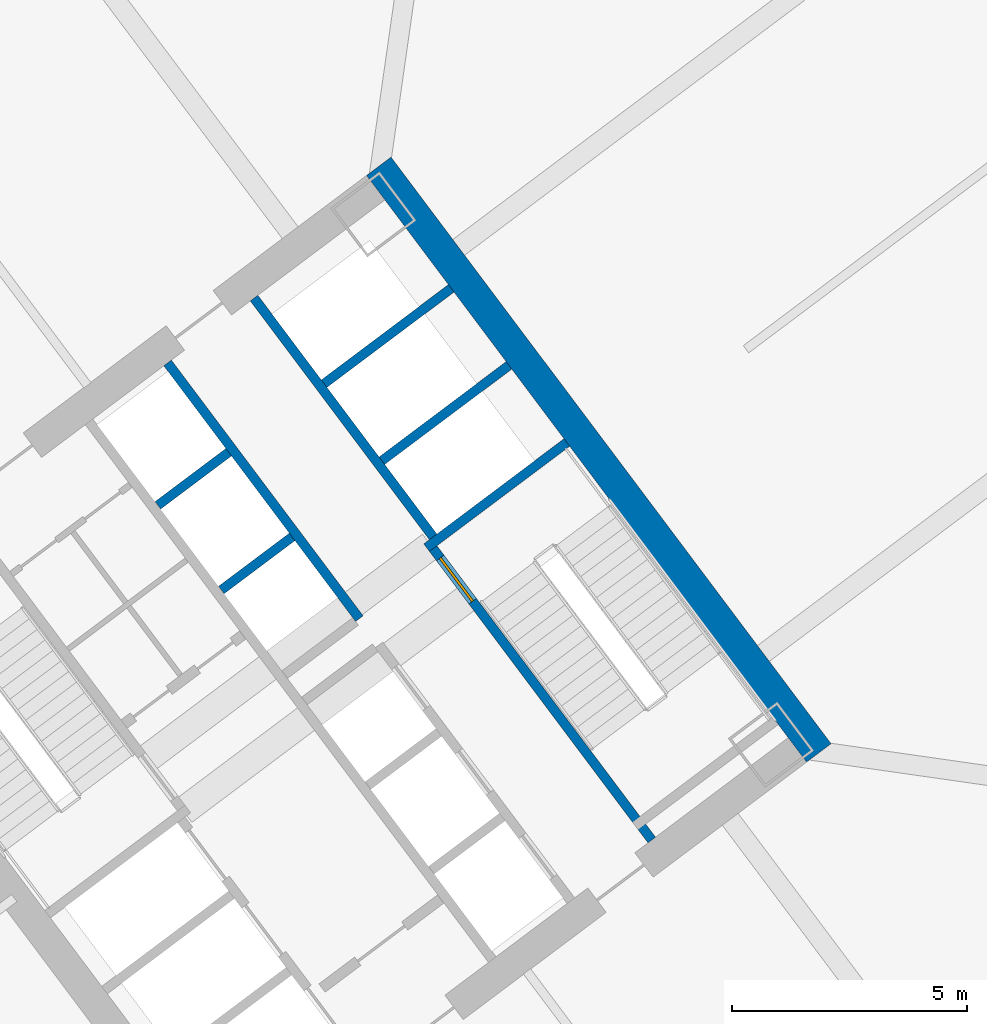
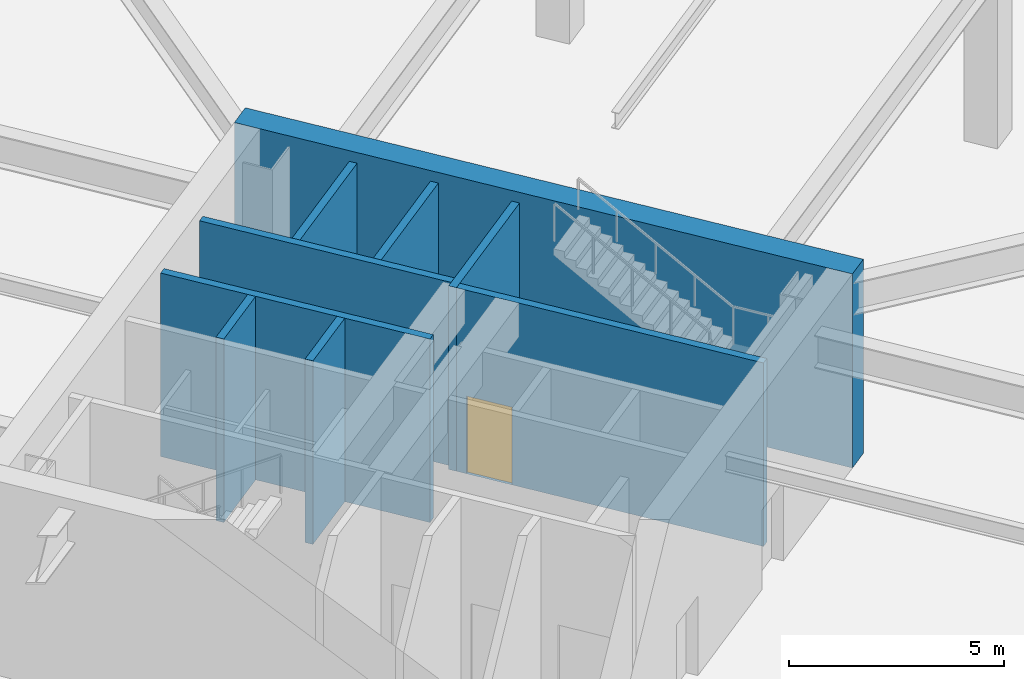
# One storey, part 11 of 17: 9 walls, 1 door, 1 opening.
"""IFC4 building model written with IfcOpenShell, lengths in metres."""

from ifc_helpers import new_model, si_unit, direction, frame, frame_2d, origin, place, context, subcontext, project, spatial, rectangle, extrude, material, layer, layer_set, type_object, element, fill, save


model = new_model("IFC4")

# Units and contexts
model_context = context("Model", 3, precision=1e-05, world=origin(), true_north=direction((0.0, 1.0)))
body_context = subcontext(model_context, "Body", "Model", "MODEL_VIEW")
ifc_project = project(units=[si_unit("LENGTHUNIT", "METRE"), si_unit("AREAUNIT", "SQUARE_METRE"), si_unit("VOLUMEUNIT", "CUBIC_METRE"), si_unit("PLANEANGLEUNIT", "RADIAN"), si_unit("MASSUNIT", "GRAM", prefix="KILO")], contexts=[model_context])

# Site, building, storey
site_placement = place(None, origin())
site = spatial("IfcSite", under=ifc_project, at=site_placement, CompositionType="ELEMENT")
building_placement = place(site_placement, origin())
building = spatial("IfcBuilding", under=site, at=building_placement, Name="Tashvorn Skyway Center", CompositionType="ELEMENT")
storey_placement = place(building_placement, frame((0.0, 0.0, -5.5)))
storey = spatial("IfcBuildingStorey", under=building, at=storey_placement, Name="B1", CompositionType="ELEMENT", Elevation=-5.5)

# Walls
ifc_material_1 = material(Name="Concrete C60/75", Category="concrete")
ifc_layer_1 = layer(ifc_material_1, 0.64990234375)
ifc_layer_set_1 = layer_set([ifc_layer_1], Name="Concrete C60/75")
wall_type_1 = type_object("IfcWallType", Name="WALL-CORE-650", PredefinedType="SHEAR", material=ifc_layer_set_1)
wall_1_placement = place(storey_placement, frame((115.52392578125, 42.89306640625, 0.0), z_axis=(0.0, 0.0, 1.0), x_axis=(0.600005007985, -0.799996243986, 0.0)))
element("IfcWall", 1, at=wall_1_placement, inside=storey, type_object=wall_type_1, Name="Tower 2 B1 East Core Shear Wall", PredefinedType="SHEAR", context=body_context, shape_type="SweptSolid", body=[
    extrude(rectangle(XDim=15.60009765625, YDim=0.64990234375, at=frame_2d((7.800048828125, 0.0))), origin(), (0.0, 0.0, 1.0), 5.5),
])
ifc_material_2 = material(Name="Concrete C40/50", Category="concrete")
ifc_layer_2 = layer(ifc_material_2, 0.199951171875)
ifc_layer_set_2 = layer_set([ifc_layer_2], Name="Concrete C40/50")
wall_type_2 = type_object("IfcWallType", Name="WALL-SHAFT-200", PredefinedType="SOLIDWALL", material=ifc_layer_set_2)
for number, where, z_axis, x_axis, name in (
    (2, (115.590087890625, 36.6298828125, 0.0), (0.0, 0.0, 1.0), (0.799973995579, 0.600034670996, 0.0), "Tower 2 B1 High-Rise Shaft Divider"),
    (3, (114.360107421875, 38.27001953125, 0.0), (0.0, 0.0, 1.0), (0.799973995579, 0.600034670996, 0.0), "Tower 2 B1 High-Rise Shaft Divider"),
):
    element("IfcWall", number, at=place(storey_placement, frame(where, z_axis=z_axis, x_axis=x_axis)), inside=storey, type_object=wall_type_2, Name=name, PredefinedType="SOLIDWALL", context=body_context, shape_type="SweptSolid", body=[
        extrude(rectangle(XDim=3.3798828125, YDim=0.199951171875, at=frame_2d((1.68994140625, 0.0))), origin(), (0.0, 0.0, 1.0), 5.199951171875),
    ])
wall_2_placement = place(storey_placement, frame((115.110107421875, 33.27001953125, 0.0), z_axis=(0.0, 0.0, 1.0), x_axis=(-0.600011488909, 0.79999138319, 0.0)))
element("IfcWall", 4, at=wall_2_placement, inside=storey, type_object=wall_type_2, Name="Tower 2 B1 Mid-Rise Core Wall", PredefinedType="SOLIDWALL", context=body_context, shape_type="SweptSolid", body=[
    extrude(rectangle(XDim=6.800048828125, YDim=0.199951171875, at=frame_2d((3.39990234375, 0.0))), origin(), (0.0, 0.0, 1.0), 5.199951171875),
])
wall_3_placement = place(storey_placement, frame((112.176025390625, 33.882080078125, 0.0), z_axis=(0.0, 0.0, 1.0), x_axis=(0.8, 0.6, 0.0)))
element("IfcWall", 5, at=wall_3_placement, inside=storey, type_object=wall_type_2, Name="Tower 2 B1 Mid-Rise Shaft Divider", PredefinedType="SOLIDWALL", context=body_context, shape_type="SweptSolid", body=[
    extrude(rectangle(XDim=1.8798828125, YDim=0.199951171875, at=frame_2d((0.93994140625, 0.0))), origin(), (0.0, 0.0, 1.0), 5.199951171875),
])
wall_4_placement = place(storey_placement, frame((110.825927734375, 35.681884765625, 0.0), z_axis=(0.0, 0.0, 1.0), x_axis=(0.799984418148, 0.600020775241, 0.0)))
element("IfcWall", 6, at=wall_4_placement, inside=storey, type_object=wall_type_2, Name="Tower 2 B1 Mid-Rise Shaft Divider", PredefinedType="SOLIDWALL", context=body_context, shape_type="SweptSolid", body=[
    extrude(rectangle(XDim=1.880126953125, YDim=0.199951171875, at=frame_2d((0.93994140625, 0.0))), origin(), (0.0, 0.0, 1.0), 5.199951171875),
])

# Wall, opening, door
ifc_layer_3 = layer(ifc_material_2, 0.199951171875)
ifc_layer_set_3 = layer_set([ifc_layer_3], Name="Concrete C40/50")
wall_type_3 = type_object("IfcWallType", Name="WALL-STSHF-200", PredefinedType="SHEAR", material=ifc_layer_set_3)
wall_5_placement = place(storey_placement, frame((116.56005859375, 34.919921875, 0.0), z_axis=(0.0, 0.0, 1.0), x_axis=(0.600009827119, -0.799992629566, 0.0)))
wall_5 = element("IfcWall", 7, at=wall_5_placement, inside=storey, type_object=wall_type_3, Name="Tower 2 B1 Stair 2 Enclosure Wall", PredefinedType="SHEAR", context=body_context, shape_type="SweptSolid", body=[
    extrude(rectangle(XDim=7.949951171875, YDim=0.199951171875, at=frame_2d((3.97509765625, 0.0))), origin(), (0.0, 0.0, 1.0), 5.199951171875),
])
opening_placement = place(wall_5_placement, frame((0.449951171875, 0.0, 0.0)))
opening = element("IfcOpeningElement", 8, at=opening_placement, cuts=wall_5, Name="Opening D-ST-1150", PredefinedType="OPENING", context=body_context, shape_type="SweptSolid", body=[
    extrude(rectangle(XDim=1.14990234375, YDim=2.199951171875, at=frame_2d((0.574951171875, 1.10009765625))), frame((0.0, 0.10986328125, 0.0), z_axis=(0.0, -1.0, 0.0), x_axis=(1.0, 0.0, 0.0)), (0.0, 0.0, 1.0), 0.219970703125),
])
ifc_material_3 = material(Name="Hollow galvanized steel fire door assembly", Category="steel")
door_type = type_object("IfcDoorType", Name="DOOR-STAIR-1150", OperationType="NOTDEFINED", PredefinedType="DOOR", material=ifc_material_3)
door_placement = place(opening_placement, origin())
door = element("IfcDoor", 9, at=door_placement, inside=storey, type_object=door_type, Name="Tower 2 B1 Exit Stair 2 Door", OperationType="SINGLE_SWING_RIGHT", OverallHeight=2.199951171875, OverallWidth=1.14990234375, PredefinedType="DOOR", context=body_context, shape_type="SweptSolid", body=[
    extrude(rectangle(XDim=1.14990234375, YDim=2.199951171875, at=frame_2d((0.574951171875, 1.10009765625))), frame((0.0, 0.02490234375, 0.0), z_axis=(0.0, -1.0, 0.0), x_axis=(1.0, 0.0, 0.0)), (0.0, 0.0, 1.0), 0.050048828125),
])
fill(opening, door)

# Walls
wall_6_placement = place(storey_placement, frame((116.5400390625, 34.780029296875, 0.0), z_axis=(0.0, 0.0, 1.0), x_axis=(0.799984290658, 0.600020945218, 0.0)))
element("IfcWall", 10, at=wall_6_placement, inside=storey, type_object=wall_type_3, Name="Tower 2 B1 Stair 2 North Wall", PredefinedType="SHEAR", context=body_context, shape_type="SweptSolid", body=[
    extrude(rectangle(XDim=3.72998046875, YDim=0.199951171875, at=frame_2d((1.864990234375, 0.0))), origin(), (0.0, 0.0, 1.0), 5.199951171875),
])
wall_7_placement = place(storey_placement, frame((112.8701171875, 40.090087890625, 0.0), z_axis=(0.0, 0.0, 1.0), x_axis=(0.599975393228, -0.800018454488, 0.0)))
element("IfcWall", 11, at=wall_7_placement, inside=storey, type_object=wall_type_3, Name="Tower 2 B1 High-Rise Lift Shaft Front Wall", PredefinedType="SHEAR", context=body_context, shape_type="SweptSolid", body=[
    extrude(rectangle(XDim=6.349853515625, YDim=0.199951171875, at=frame_2d((3.1748046875, 0.0))), origin(), (0.0, 0.0, 1.0), 5.199951171875),
])

save(model, "model.ifc")
